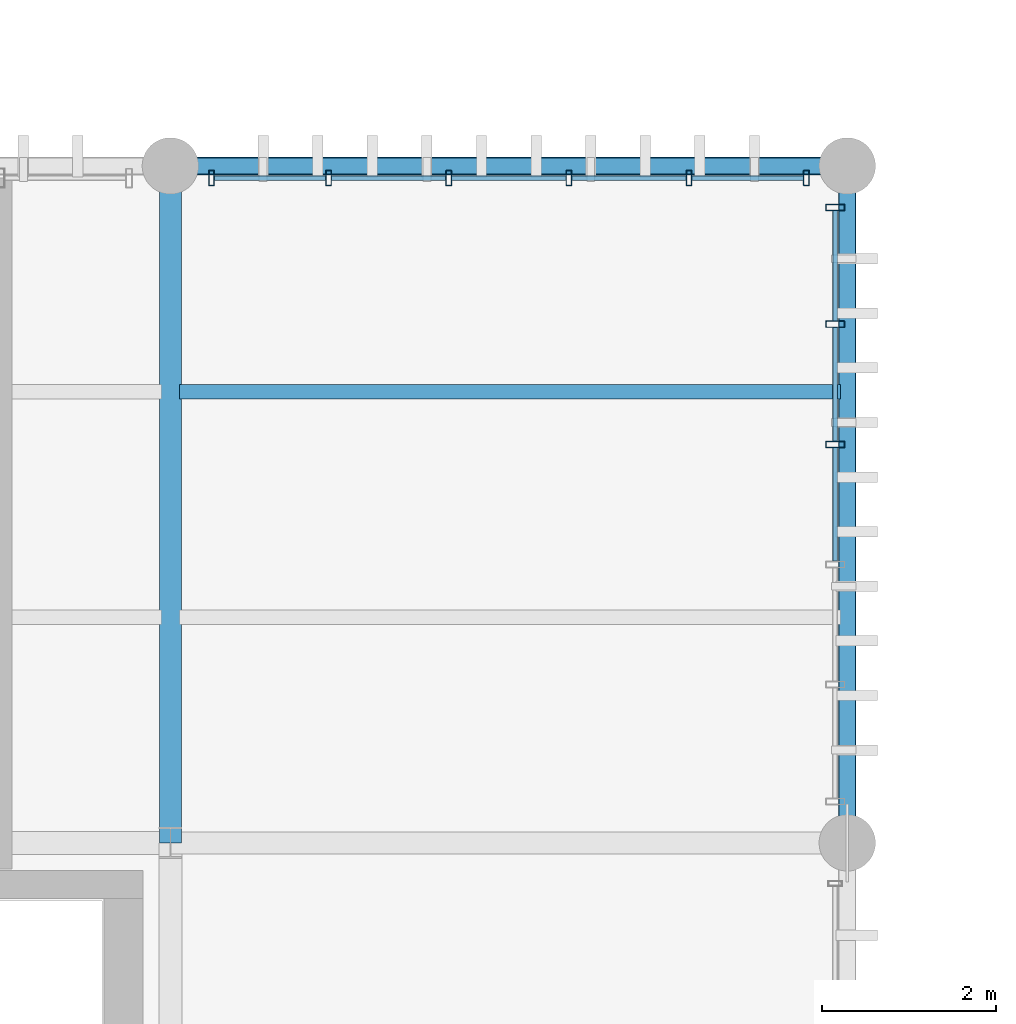
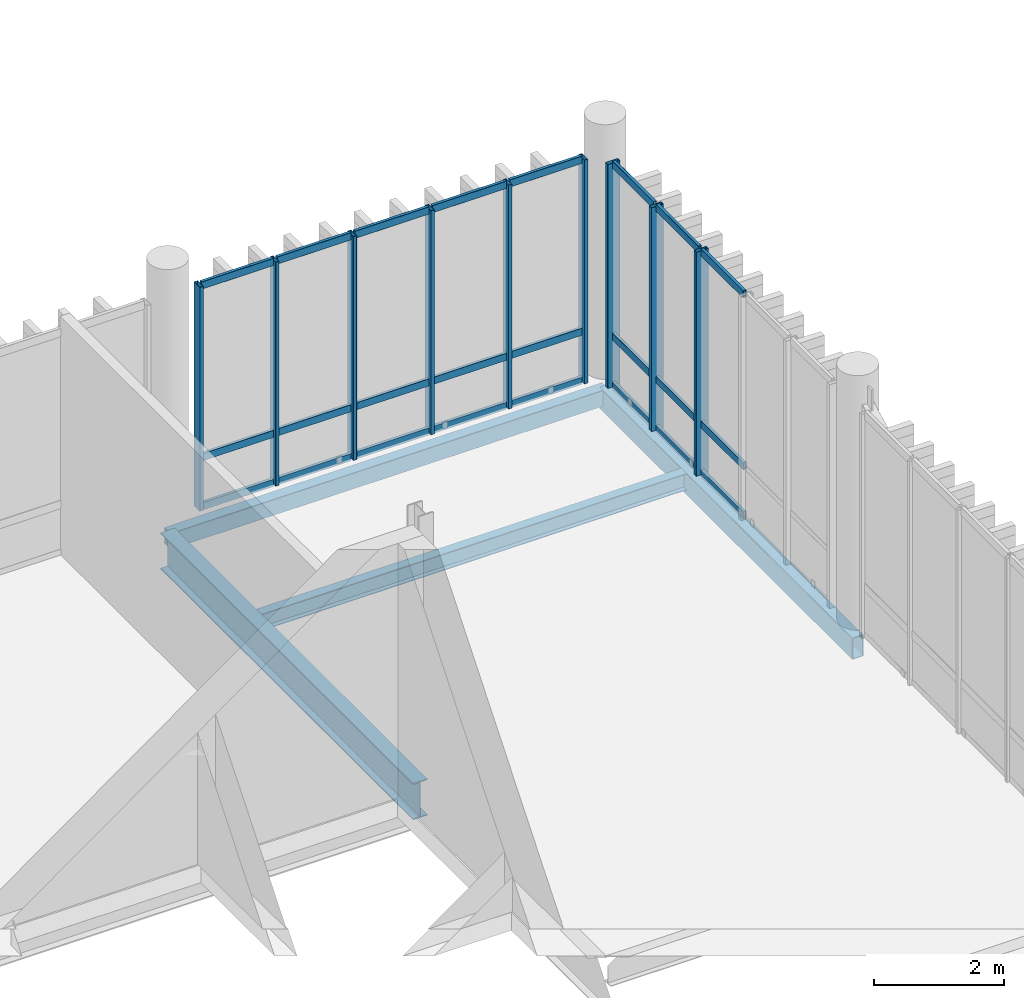
# One storey, part 25 of 86: 33 members, 4 beams, 2 elements without a shape of their own.
"""IFC4 building model written with IfcOpenShell, lengths in metres."""

from ifc_helpers import new_model, si_unit, direction, frame, origin_with_axes, origin_2d_with_axis, place, context, subcontext, project, spatial, hollow_rectangle, i_section, extrude, material, material_profile, profile_set, type_object, element, aggregate, save


model = new_model("IFC4")

# Units and contexts
model_context = context("Model", 3, precision=1e-05, world=origin_with_axes(), true_north=direction((0.0, 1.0)))
body_context = subcontext(model_context, "Body", "Model", "MODEL_VIEW")
ifc_project = project(units=[si_unit("LENGTHUNIT", "METRE"), si_unit("AREAUNIT", "SQUARE_METRE"), si_unit("VOLUMEUNIT", "CUBIC_METRE"), si_unit("PLANEANGLEUNIT", "RADIAN"), si_unit("MASSUNIT", "GRAM", prefix="KILO"), si_unit("THERMODYNAMICTEMPERATUREUNIT", "KELVIN")], contexts=[model_context])

# Site, building, storey
site_placement = place(None, origin_with_axes())
site = spatial("IfcSite", under=ifc_project, at=site_placement, CompositionType="ELEMENT")
building_placement = place(site_placement, origin_with_axes())
building = spatial("IfcBuilding", under=site, at=building_placement, Name="Montbau Bow Law Courts", CompositionType="ELEMENT")
storey_placement = place(building_placement, frame((0.0, 0.0, 29.7), z_axis=(0.0, 0.0, 1.0), x_axis=(1.0, 0.0, 0.0)))
storey = spatial("IfcBuildingStorey", under=building, at=storey_placement, Name="L06", CompositionType="ELEMENT", Elevation=29.7)

# Beams
ifc_material_1 = material(Name="Steel CSA G40.21 Grade 350W (350 MPa)", Category="steel")
ifc_material_profile_1 = material_profile(ifc_material_1, i_section(OverallWidth=0.254, OverallDepth=0.688, WebThickness=0.0131, FlangeThickness=0.0211, at=origin_2d_with_axis()), Name="W690X152", Category="Main", Priority=0)
ifc_profile_set_1 = profile_set([ifc_material_profile_1], Name="Steel CSA G40.21 Grade 350W (350 MPa)")
beam_type_1 = type_object("IfcBeamType", Name="B-FLR-04", PredefinedType="BEAM", material=ifc_profile_set_1)
beam_1_placement = place(None, frame((39.0, 54.6, 29.016), z_axis=(0.0, 1.0, 0.0), x_axis=(-1.0, 0.0, 0.0)))
element("IfcBeam", 1, at=beam_1_placement, inside=storey, type_object=beam_type_1, Name="BM-L06-S0708:bm2_0711", PredefinedType="BEAM", context=body_context, shape_type="SweptSolid", body=[
    extrude(i_section(OverallWidth=0.254, OverallDepth=0.688, WebThickness=0.0131, FlangeThickness=0.0211, at=origin_2d_with_axis()), origin_with_axes(), (0.0, 0.0, 1.0), 7.8),
])
ifc_material_profile_2 = material_profile(ifc_material_1, i_section(OverallWidth=0.166, OverallDepth=0.313, WebThickness=0.0066, FlangeThickness=0.0112, at=origin_2d_with_axis()), Name="W310X45", Category="Main", Priority=0)
ifc_profile_set_2 = profile_set([ifc_material_profile_2], Name="Steel CSA G40.21 Grade 350W (350 MPa)")
beam_type_2 = type_object("IfcBeamType", Name="B-JST-04", PredefinedType="JOIST", material=ifc_profile_set_2)
beam_2_placement = place(None, frame((39.103, 59.8, 29.203), z_axis=(1.0, 0.0, 0.0), x_axis=(0.0, 1.0, 0.0)))
element("IfcBeam", 2, at=beam_2_placement, inside=storey, type_object=beam_type_2, Name="JST-L06-S0359:jst2_0359", PredefinedType="JOIST", context=body_context, shape_type="SweptSolid", body=[
    extrude(i_section(OverallWidth=0.166, OverallDepth=0.313, WebThickness=0.0066, FlangeThickness=0.0112, at=origin_2d_with_axis()), origin_with_axes(), (0.0, 0.0, 1.0), 7.617),
])
ifc_material_2 = material(Name="Steel CSA G40.21 Grade 350WT (350 MPa)", Category="steel")
ifc_material_profile_3 = material_profile(ifc_material_2, hollow_rectangle(XDim=0.203, YDim=0.406, WallThickness=0.0127, InnerFilletRadius=0.0254, OuterFilletRadius=0.0127, at=origin_2d_with_axis()), Name="HSS406X203X13", Category="Main", Priority=0)
ifc_profile_set_3 = profile_set([ifc_material_profile_3], Name="Steel CSA G40.21 Grade 350WT (350 MPa)")
beam_type_3 = type_object("IfcBeamType", Name="B-SPN-01", PredefinedType="SPANDREL", material=ifc_profile_set_3)
beam_3_placement = place(None, frame((46.8, 54.6, 29.157), z_axis=(0.0, 1.0, 0.0), x_axis=(-1.0, 0.0, 0.0)))
element("IfcBeam", 3, at=beam_3_placement, inside=storey, type_object=beam_type_3, Name="SPN-L06-S0712:bm2_0715", PredefinedType="SPANDREL", context=body_context, shape_type="SweptSolid", body=[
    extrude(hollow_rectangle(XDim=0.203, YDim=0.406, WallThickness=0.0127, InnerFilletRadius=0.0254, OuterFilletRadius=0.0127, at=origin_2d_with_axis()), origin_with_axes(), (0.0, 0.0, 1.0), 7.8),
])
ifc_material_profile_4 = material_profile(ifc_material_2, hollow_rectangle(XDim=0.203, YDim=0.305, WallThickness=0.0127, InnerFilletRadius=0.0254, OuterFilletRadius=0.0127, at=origin_2d_with_axis()), Name="HSS305X203X13", Category="Main", Priority=0)
ifc_profile_set_4 = profile_set([ifc_material_profile_4], Name="Steel CSA G40.21 Grade 350WT (350 MPa)")
beam_type_4 = type_object("IfcBeamType", Name="B-SPN-02", PredefinedType="SPANDREL", material=ifc_profile_set_4)
beam_4_placement = place(None, frame((39.0, 62.4, 29.207), z_axis=(1.0, 0.0, 0.0), x_axis=(0.0, 1.0, 0.0)))
element("IfcBeam", 4, at=beam_4_placement, inside=storey, type_object=beam_type_4, Name="SPN-L06-S0690:bm2_0693", PredefinedType="SPANDREL", context=body_context, shape_type="SweptSolid", body=[
    extrude(hollow_rectangle(XDim=0.203, YDim=0.305, WallThickness=0.0127, InnerFilletRadius=0.0254, OuterFilletRadius=0.0127, at=origin_2d_with_axis()), origin_with_axes(), (0.0, 0.0, 1.0), 7.8),
])

# Curtain wall, members
ifc_material_3 = material(Name="Thermally Broken Extruded Aluminium AA 6063-T6", Category="aluminium")
curtain_wall_type = type_object("IfcCurtainWallType", Name="CW-TRC-02", PredefinedType="NOTDEFINED", material=ifc_material_3)
curtain_wall_1_placement = place(None, frame((46.66, 55.04, 29.7), z_axis=(0.0, 0.0, 1.0), x_axis=(1.0, 0.0, 0.0)))
curtain_wall_1 = element("IfcCurtainWall", 5, at=curtain_wall_1_placement, inside=storey, type_object=curtain_wall_type, Name="CW-L06-111:cw_0111", PredefinedType="NOTDEFINED")
ifc_material_profile_5 = material_profile(ifc_material_3, hollow_rectangle(XDim=0.075, YDim=0.22, WallThickness=0.005, InnerFilletRadius=0.01, OuterFilletRadius=0.005, at=origin_2d_with_axis()), Name="CWM-220X75", Category="Main", Priority=0)
ifc_profile_set_5 = profile_set([ifc_material_profile_5], Name="Thermally Broken Extruded Aluminium AA 6063-T6")
member_type_1 = type_object("IfcMemberType", Name="M-MUL-01", PredefinedType="MULLION", material=ifc_profile_set_5)
member_1_placement = place(None, frame((46.66, 59.192, 29.7), z_axis=(0.0, 0.0, 1.0), x_axis=(0.0, 1.0, 0.0)))
member_1 = element("IfcMember", 6, at=member_1_placement, type_object=member_type_1, Name="CW-L06-111-M04:cw_0111_M04", PredefinedType="MULLION", context=body_context, shape_type="SweptSolid", body=[
    extrude(hollow_rectangle(XDim=0.075, YDim=0.22, WallThickness=0.005, InnerFilletRadius=0.01, OuterFilletRadius=0.005, at=origin_2d_with_axis()), origin_with_axes(), (0.0, 0.0, 1.0), 4.22),
])
member_2_placement = place(None, frame((46.66, 60.576, 29.7), z_axis=(0.0, 0.0, 1.0), x_axis=(0.0, 1.0, 0.0)))
member_2 = element("IfcMember", 7, at=member_2_placement, type_object=member_type_1, Name="CW-L06-111-M05:cw_0111_M05", PredefinedType="MULLION", context=body_context, shape_type="SweptSolid", body=[
    extrude(hollow_rectangle(XDim=0.075, YDim=0.22, WallThickness=0.005, InnerFilletRadius=0.01, OuterFilletRadius=0.005, at=origin_2d_with_axis()), origin_with_axes(), (0.0, 0.0, 1.0), 4.22),
])
member_3_placement = place(None, frame((46.66, 61.923, 29.7), z_axis=(0.0, 0.0, 1.0), x_axis=(0.0, 1.0, 0.0)))
member_3 = element("IfcMember", 8, at=member_3_placement, type_object=member_type_1, Name="CW-L06-111-M06:cw_0111_M06", PredefinedType="MULLION", context=body_context, shape_type="SweptSolid", body=[
    extrude(hollow_rectangle(XDim=0.075, YDim=0.22, WallThickness=0.005, InnerFilletRadius=0.01, OuterFilletRadius=0.005, at=origin_2d_with_axis()), origin_with_axes(), (0.0, 0.0, 1.0), 4.22),
])

curtain_wall_2_placement = place(None, frame((39.44, 62.26, 29.7), z_axis=(0.0, 0.0, 1.0), x_axis=(1.0, 0.0, 0.0)))
curtain_wall_2 = element("IfcCurtainWall", 9, at=curtain_wall_2_placement, inside=storey, type_object=curtain_wall_type, Name="CW-L06-103:cw_0103", PredefinedType="NOTDEFINED")
ifc_material_profile_6 = material_profile(ifc_material_3, hollow_rectangle(XDim=0.065, YDim=0.18, WallThickness=0.005, InnerFilletRadius=0.01, OuterFilletRadius=0.005, at=origin_2d_with_axis()), Name="CWM-180X65", Category="Main", Priority=0)
ifc_profile_set_6 = profile_set([ifc_material_profile_6], Name="Thermally Broken Extruded Aluminium AA 6063-T6")
member_type_2 = type_object("IfcMemberType", Name="M-MUL-02", PredefinedType="MULLION", material=ifc_profile_set_6)
member_4_placement = place(None, frame((39.473, 62.26, 29.7), z_axis=(0.0, 0.0, 1.0), x_axis=(1.0, 0.0, 0.0)))
member_4 = element("IfcMember", 10, at=member_4_placement, type_object=member_type_2, Name="CW-L06-103-M01:cw_0103_M01", PredefinedType="MULLION", context=body_context, shape_type="SweptSolid", body=[
    extrude(hollow_rectangle(XDim=0.065, YDim=0.18, WallThickness=0.005, InnerFilletRadius=0.01, OuterFilletRadius=0.005, at=origin_2d_with_axis()), origin_with_axes(), (0.0, 0.0, 1.0), 4.22),
])
member_5_placement = place(None, frame((40.824, 62.26, 29.7), z_axis=(0.0, 0.0, 1.0), x_axis=(1.0, 0.0, 0.0)))
member_5 = element("IfcMember", 11, at=member_5_placement, type_object=member_type_2, Name="CW-L06-103-M02:cw_0103_M02", PredefinedType="MULLION", context=body_context, shape_type="SweptSolid", body=[
    extrude(hollow_rectangle(XDim=0.065, YDim=0.18, WallThickness=0.005, InnerFilletRadius=0.01, OuterFilletRadius=0.005, at=origin_2d_with_axis()), origin_with_axes(), (0.0, 0.0, 1.0), 4.22),
])
member_6_placement = place(None, frame((42.208, 62.26, 29.7), z_axis=(0.0, 0.0, 1.0), x_axis=(1.0, 0.0, 0.0)))
member_6 = element("IfcMember", 12, at=member_6_placement, type_object=member_type_2, Name="CW-L06-103-M03:cw_0103_M03", PredefinedType="MULLION", context=body_context, shape_type="SweptSolid", body=[
    extrude(hollow_rectangle(XDim=0.065, YDim=0.18, WallThickness=0.005, InnerFilletRadius=0.01, OuterFilletRadius=0.005, at=origin_2d_with_axis()), origin_with_axes(), (0.0, 0.0, 1.0), 4.22),
])
member_7_placement = place(None, frame((43.592, 62.26, 29.7), z_axis=(0.0, 0.0, 1.0), x_axis=(1.0, 0.0, 0.0)))
member_7 = element("IfcMember", 13, at=member_7_placement, type_object=member_type_2, Name="CW-L06-103-M04:cw_0103_M04", PredefinedType="MULLION", context=body_context, shape_type="SweptSolid", body=[
    extrude(hollow_rectangle(XDim=0.065, YDim=0.18, WallThickness=0.005, InnerFilletRadius=0.01, OuterFilletRadius=0.005, at=origin_2d_with_axis()), origin_with_axes(), (0.0, 0.0, 1.0), 4.22),
])
member_8_placement = place(None, frame((44.976, 62.26, 29.7), z_axis=(0.0, 0.0, 1.0), x_axis=(1.0, 0.0, 0.0)))
member_8 = element("IfcMember", 14, at=member_8_placement, type_object=member_type_2, Name="CW-L06-103-M05:cw_0103_M05", PredefinedType="MULLION", context=body_context, shape_type="SweptSolid", body=[
    extrude(hollow_rectangle(XDim=0.065, YDim=0.18, WallThickness=0.005, InnerFilletRadius=0.01, OuterFilletRadius=0.005, at=origin_2d_with_axis()), origin_with_axes(), (0.0, 0.0, 1.0), 4.22),
])
member_9_placement = place(None, frame((46.328, 62.26, 29.7), z_axis=(0.0, 0.0, 1.0), x_axis=(1.0, 0.0, 0.0)))
member_9 = element("IfcMember", 15, at=member_9_placement, type_object=member_type_2, Name="CW-L06-103-M06:cw_0103_M06", PredefinedType="MULLION", context=body_context, shape_type="SweptSolid", body=[
    extrude(hollow_rectangle(XDim=0.065, YDim=0.18, WallThickness=0.005, InnerFilletRadius=0.01, OuterFilletRadius=0.005, at=origin_2d_with_axis()), origin_with_axes(), (0.0, 0.0, 1.0), 4.22),
])
ifc_material_profile_7 = material_profile(ifc_material_3, hollow_rectangle(XDim=0.055, YDim=0.14, WallThickness=0.004, InnerFilletRadius=0.008, OuterFilletRadius=0.004, at=origin_2d_with_axis()), Name="CWT-140X55", Category="Main", Priority=0)
ifc_profile_set_7 = profile_set([ifc_material_profile_7], Name="Thermally Broken Extruded Aluminium AA 6063-T6")
member_type_3 = type_object("IfcMemberType", Name="M-TRN-02", PredefinedType="USERDEFINED", material=ifc_profile_set_7)
member_10_placement = place(None, frame((39.508, 62.26, 29.727), z_axis=(1.0, 0.0, 0.0), x_axis=(0.0, 1.0, 0.0)))
member_10 = element("IfcMember", 16, at=member_10_placement, type_object=member_type_3, Name="CW-L06-103-T01-1:cw_0103_T01_1", ObjectType="TRANSOM", PredefinedType="USERDEFINED", context=body_context, shape_type="SweptSolid", body=[
    extrude(hollow_rectangle(XDim=0.055, YDim=0.14, WallThickness=0.004, InnerFilletRadius=0.008, OuterFilletRadius=0.004, at=origin_2d_with_axis()), origin_with_axes(), (0.0, 0.0, 1.0), 1.281),
])
member_11_placement = place(None, frame((39.508, 62.26, 30.65), z_axis=(1.0, 0.0, 0.0), x_axis=(0.0, 1.0, 0.0)))
member_11 = element("IfcMember", 17, at=member_11_placement, type_object=member_type_3, Name="CW-L06-103-T01-2:cw_0103_T01_2", ObjectType="TRANSOM", PredefinedType="USERDEFINED", context=body_context, shape_type="SweptSolid", body=[
    extrude(hollow_rectangle(XDim=0.055, YDim=0.14, WallThickness=0.004, InnerFilletRadius=0.008, OuterFilletRadius=0.004, at=origin_2d_with_axis()), origin_with_axes(), (0.0, 0.0, 1.0), 1.281),
])
member_12_placement = place(None, frame((39.508, 62.26, 33.892), z_axis=(1.0, 0.0, 0.0), x_axis=(0.0, 1.0, 0.0)))
member_12 = element("IfcMember", 18, at=member_12_placement, type_object=member_type_3, Name="CW-L06-103-T01-3:cw_0103_T01_3", ObjectType="TRANSOM", PredefinedType="USERDEFINED", context=body_context, shape_type="SweptSolid", body=[
    extrude(hollow_rectangle(XDim=0.055, YDim=0.14, WallThickness=0.004, InnerFilletRadius=0.008, OuterFilletRadius=0.004, at=origin_2d_with_axis()), origin_with_axes(), (0.0, 0.0, 1.0), 1.281),
])
member_13_placement = place(None, frame((40.858, 62.26, 29.727), z_axis=(1.0, 0.0, 0.0), x_axis=(0.0, 1.0, 0.0)))
member_13 = element("IfcMember", 19, at=member_13_placement, type_object=member_type_3, Name="CW-L06-103-T02-1:cw_0103_T02_1", ObjectType="TRANSOM", PredefinedType="USERDEFINED", context=body_context, shape_type="SweptSolid", body=[
    extrude(hollow_rectangle(XDim=0.055, YDim=0.14, WallThickness=0.004, InnerFilletRadius=0.008, OuterFilletRadius=0.004, at=origin_2d_with_axis()), origin_with_axes(), (0.0, 0.0, 1.0), 1.315),
])
member_14_placement = place(None, frame((40.858, 62.26, 30.65), z_axis=(1.0, 0.0, 0.0), x_axis=(0.0, 1.0, 0.0)))
member_14 = element("IfcMember", 20, at=member_14_placement, type_object=member_type_3, Name="CW-L06-103-T02-2:cw_0103_T02_2", ObjectType="TRANSOM", PredefinedType="USERDEFINED", context=body_context, shape_type="SweptSolid", body=[
    extrude(hollow_rectangle(XDim=0.055, YDim=0.14, WallThickness=0.004, InnerFilletRadius=0.008, OuterFilletRadius=0.004, at=origin_2d_with_axis()), origin_with_axes(), (0.0, 0.0, 1.0), 1.315),
])
member_15_placement = place(None, frame((40.858, 62.26, 33.892), z_axis=(1.0, 0.0, 0.0), x_axis=(0.0, 1.0, 0.0)))
member_15 = element("IfcMember", 21, at=member_15_placement, type_object=member_type_3, Name="CW-L06-103-T02-3:cw_0103_T02_3", ObjectType="TRANSOM", PredefinedType="USERDEFINED", context=body_context, shape_type="SweptSolid", body=[
    extrude(hollow_rectangle(XDim=0.055, YDim=0.14, WallThickness=0.004, InnerFilletRadius=0.008, OuterFilletRadius=0.004, at=origin_2d_with_axis()), origin_with_axes(), (0.0, 0.0, 1.0), 1.315),
])
member_16_placement = place(None, frame((42.242, 62.26, 29.727), z_axis=(1.0, 0.0, 0.0), x_axis=(0.0, 1.0, 0.0)))
member_16 = element("IfcMember", 22, at=member_16_placement, type_object=member_type_3, Name="CW-L06-103-T03-1:cw_0103_T03_1", ObjectType="TRANSOM", PredefinedType="USERDEFINED", context=body_context, shape_type="SweptSolid", body=[
    extrude(hollow_rectangle(XDim=0.055, YDim=0.14, WallThickness=0.004, InnerFilletRadius=0.008, OuterFilletRadius=0.004, at=origin_2d_with_axis()), origin_with_axes(), (0.0, 0.0, 1.0), 1.316),
])
member_17_placement = place(None, frame((42.242, 62.26, 30.65), z_axis=(1.0, 0.0, 0.0), x_axis=(0.0, 1.0, 0.0)))
member_17 = element("IfcMember", 23, at=member_17_placement, type_object=member_type_3, Name="CW-L06-103-T03-2:cw_0103_T03_2", ObjectType="TRANSOM", PredefinedType="USERDEFINED", context=body_context, shape_type="SweptSolid", body=[
    extrude(hollow_rectangle(XDim=0.055, YDim=0.14, WallThickness=0.004, InnerFilletRadius=0.008, OuterFilletRadius=0.004, at=origin_2d_with_axis()), origin_with_axes(), (0.0, 0.0, 1.0), 1.316),
])
member_18_placement = place(None, frame((42.242, 62.26, 33.892), z_axis=(1.0, 0.0, 0.0), x_axis=(0.0, 1.0, 0.0)))
member_18 = element("IfcMember", 24, at=member_18_placement, type_object=member_type_3, Name="CW-L06-103-T03-3:cw_0103_T03_3", ObjectType="TRANSOM", PredefinedType="USERDEFINED", context=body_context, shape_type="SweptSolid", body=[
    extrude(hollow_rectangle(XDim=0.055, YDim=0.14, WallThickness=0.004, InnerFilletRadius=0.008, OuterFilletRadius=0.004, at=origin_2d_with_axis()), origin_with_axes(), (0.0, 0.0, 1.0), 1.316),
])
member_19_placement = place(None, frame((43.626, 62.26, 29.727), z_axis=(1.0, 0.0, 0.0), x_axis=(0.0, 1.0, 0.0)))
member_19 = element("IfcMember", 25, at=member_19_placement, type_object=member_type_3, Name="CW-L06-103-T04-1:cw_0103_T04_1", ObjectType="TRANSOM", PredefinedType="USERDEFINED", context=body_context, shape_type="SweptSolid", body=[
    extrude(hollow_rectangle(XDim=0.055, YDim=0.14, WallThickness=0.004, InnerFilletRadius=0.008, OuterFilletRadius=0.004, at=origin_2d_with_axis()), origin_with_axes(), (0.0, 0.0, 1.0), 1.316),
])
member_20_placement = place(None, frame((43.626, 62.26, 30.65), z_axis=(1.0, 0.0, 0.0), x_axis=(0.0, 1.0, 0.0)))
member_20 = element("IfcMember", 26, at=member_20_placement, type_object=member_type_3, Name="CW-L06-103-T04-2:cw_0103_T04_2", ObjectType="TRANSOM", PredefinedType="USERDEFINED", context=body_context, shape_type="SweptSolid", body=[
    extrude(hollow_rectangle(XDim=0.055, YDim=0.14, WallThickness=0.004, InnerFilletRadius=0.008, OuterFilletRadius=0.004, at=origin_2d_with_axis()), origin_with_axes(), (0.0, 0.0, 1.0), 1.316),
])
member_21_placement = place(None, frame((43.626, 62.26, 33.892), z_axis=(1.0, 0.0, 0.0), x_axis=(0.0, 1.0, 0.0)))
member_21 = element("IfcMember", 27, at=member_21_placement, type_object=member_type_3, Name="CW-L06-103-T04-3:cw_0103_T04_3", ObjectType="TRANSOM", PredefinedType="USERDEFINED", context=body_context, shape_type="SweptSolid", body=[
    extrude(hollow_rectangle(XDim=0.055, YDim=0.14, WallThickness=0.004, InnerFilletRadius=0.008, OuterFilletRadius=0.004, at=origin_2d_with_axis()), origin_with_axes(), (0.0, 0.0, 1.0), 1.316),
])
member_22_placement = place(None, frame((45.01, 62.26, 29.727), z_axis=(1.0, 0.0, 0.0), x_axis=(0.0, 1.0, 0.0)))
member_22 = element("IfcMember", 28, at=member_22_placement, type_object=member_type_3, Name="CW-L06-103-T05-1:cw_0103_T05_1", ObjectType="TRANSOM", PredefinedType="USERDEFINED", context=body_context, shape_type="SweptSolid", body=[
    extrude(hollow_rectangle(XDim=0.055, YDim=0.14, WallThickness=0.004, InnerFilletRadius=0.008, OuterFilletRadius=0.004, at=origin_2d_with_axis()), origin_with_axes(), (0.0, 0.0, 1.0), 1.284),
])
member_23_placement = place(None, frame((45.01, 62.26, 30.65), z_axis=(1.0, 0.0, 0.0), x_axis=(0.0, 1.0, 0.0)))
member_23 = element("IfcMember", 29, at=member_23_placement, type_object=member_type_3, Name="CW-L06-103-T05-2:cw_0103_T05_2", ObjectType="TRANSOM", PredefinedType="USERDEFINED", context=body_context, shape_type="SweptSolid", body=[
    extrude(hollow_rectangle(XDim=0.055, YDim=0.14, WallThickness=0.004, InnerFilletRadius=0.008, OuterFilletRadius=0.004, at=origin_2d_with_axis()), origin_with_axes(), (0.0, 0.0, 1.0), 1.284),
])
member_24_placement = place(None, frame((45.01, 62.26, 33.892), z_axis=(1.0, 0.0, 0.0), x_axis=(0.0, 1.0, 0.0)))
member_24 = element("IfcMember", 30, at=member_24_placement, type_object=member_type_3, Name="CW-L06-103-T05-3:cw_0103_T05_3", ObjectType="TRANSOM", PredefinedType="USERDEFINED", context=body_context, shape_type="SweptSolid", body=[
    extrude(hollow_rectangle(XDim=0.055, YDim=0.14, WallThickness=0.004, InnerFilletRadius=0.008, OuterFilletRadius=0.004, at=origin_2d_with_axis()), origin_with_axes(), (0.0, 0.0, 1.0), 1.284),
])
aggregate(curtain_wall_2, [member_4, member_5, member_6, member_7, member_8, member_9, member_10, member_11, member_12, member_13, member_14, member_15, member_16, member_17, member_18, member_19, member_20, member_21, member_22, member_23, member_24])

# Member
member_25_placement = place(None, frame((46.66, 57.847, 29.727), z_axis=(0.0, 1.0, 0.0), x_axis=(-1.0, 0.0, 0.0)))
member_25 = element("IfcMember", 31, at=member_25_placement, type_object=member_type_3, Name="CW-L06-111-T03-1:cw_0111_T03_1", ObjectType="TRANSOM", PredefinedType="USERDEFINED", context=body_context, shape_type="SweptSolid", body=[
    extrude(hollow_rectangle(XDim=0.055, YDim=0.14, WallThickness=0.004, InnerFilletRadius=0.008, OuterFilletRadius=0.004, at=origin_2d_with_axis()), origin_with_axes(), (0.0, 0.0, 1.0), 1.306),
])

member_26_placement = place(None, frame((46.66, 57.847, 30.65), z_axis=(0.0, 1.0, 0.0), x_axis=(-1.0, 0.0, 0.0)))
member_26 = element("IfcMember", 32, at=member_26_placement, type_object=member_type_3, Name="CW-L06-111-T03-2:cw_0111_T03_2", ObjectType="TRANSOM", PredefinedType="USERDEFINED", context=body_context, shape_type="SweptSolid", body=[
    extrude(hollow_rectangle(XDim=0.055, YDim=0.14, WallThickness=0.004, InnerFilletRadius=0.008, OuterFilletRadius=0.004, at=origin_2d_with_axis()), origin_with_axes(), (0.0, 0.0, 1.0), 1.306),
])

member_27_placement = place(None, frame((46.66, 57.847, 33.892), z_axis=(0.0, 1.0, 0.0), x_axis=(-1.0, 0.0, 0.0)))
member_27 = element("IfcMember", 33, at=member_27_placement, type_object=member_type_3, Name="CW-L06-111-T03-3:cw_0111_T03_3", ObjectType="TRANSOM", PredefinedType="USERDEFINED", context=body_context, shape_type="SweptSolid", body=[
    extrude(hollow_rectangle(XDim=0.055, YDim=0.14, WallThickness=0.004, InnerFilletRadius=0.008, OuterFilletRadius=0.004, at=origin_2d_with_axis()), origin_with_axes(), (0.0, 0.0, 1.0), 1.306),
])

member_28_placement = place(None, frame((46.66, 59.231, 29.727), z_axis=(0.0, 1.0, 0.0), x_axis=(-1.0, 0.0, 0.0)))
member_28 = element("IfcMember", 34, at=member_28_placement, type_object=member_type_3, Name="CW-L06-111-T04-1:cw_0111_T04_1", ObjectType="TRANSOM", PredefinedType="USERDEFINED", context=body_context, shape_type="SweptSolid", body=[
    extrude(hollow_rectangle(XDim=0.055, YDim=0.14, WallThickness=0.004, InnerFilletRadius=0.008, OuterFilletRadius=0.004, at=origin_2d_with_axis()), origin_with_axes(), (0.0, 0.0, 1.0), 1.306),
])

member_29_placement = place(None, frame((46.66, 59.231, 30.65), z_axis=(0.0, 1.0, 0.0), x_axis=(-1.0, 0.0, 0.0)))
member_29 = element("IfcMember", 35, at=member_29_placement, type_object=member_type_3, Name="CW-L06-111-T04-2:cw_0111_T04_2", ObjectType="TRANSOM", PredefinedType="USERDEFINED", context=body_context, shape_type="SweptSolid", body=[
    extrude(hollow_rectangle(XDim=0.055, YDim=0.14, WallThickness=0.004, InnerFilletRadius=0.008, OuterFilletRadius=0.004, at=origin_2d_with_axis()), origin_with_axes(), (0.0, 0.0, 1.0), 1.306),
])

member_30_placement = place(None, frame((46.66, 59.231, 33.892), z_axis=(0.0, 1.0, 0.0), x_axis=(-1.0, 0.0, 0.0)))
member_30 = element("IfcMember", 36, at=member_30_placement, type_object=member_type_3, Name="CW-L06-111-T04-3:cw_0111_T04_3", ObjectType="TRANSOM", PredefinedType="USERDEFINED", context=body_context, shape_type="SweptSolid", body=[
    extrude(hollow_rectangle(XDim=0.055, YDim=0.14, WallThickness=0.004, InnerFilletRadius=0.008, OuterFilletRadius=0.004, at=origin_2d_with_axis()), origin_with_axes(), (0.0, 0.0, 1.0), 1.306),
])

member_31_placement = place(None, frame((46.66, 60.615, 29.727), z_axis=(0.0, 1.0, 0.0), x_axis=(-1.0, 0.0, 0.0)))
member_31 = element("IfcMember", 37, at=member_31_placement, type_object=member_type_3, Name="CW-L06-111-T05-1:cw_0111_T05_1", ObjectType="TRANSOM", PredefinedType="USERDEFINED", context=body_context, shape_type="SweptSolid", body=[
    extrude(hollow_rectangle(XDim=0.055, YDim=0.14, WallThickness=0.004, InnerFilletRadius=0.008, OuterFilletRadius=0.004, at=origin_2d_with_axis()), origin_with_axes(), (0.0, 0.0, 1.0), 1.269),
])

member_32_placement = place(None, frame((46.66, 60.615, 30.65), z_axis=(0.0, 1.0, 0.0), x_axis=(-1.0, 0.0, 0.0)))
member_32 = element("IfcMember", 38, at=member_32_placement, type_object=member_type_3, Name="CW-L06-111-T05-2:cw_0111_T05_2", ObjectType="TRANSOM", PredefinedType="USERDEFINED", context=body_context, shape_type="SweptSolid", body=[
    extrude(hollow_rectangle(XDim=0.055, YDim=0.14, WallThickness=0.004, InnerFilletRadius=0.008, OuterFilletRadius=0.004, at=origin_2d_with_axis()), origin_with_axes(), (0.0, 0.0, 1.0), 1.269),
])

member_33_placement = place(None, frame((46.66, 60.615, 33.892), z_axis=(0.0, 1.0, 0.0), x_axis=(-1.0, 0.0, 0.0)))
member_33 = element("IfcMember", 39, at=member_33_placement, type_object=member_type_3, Name="CW-L06-111-T05-3:cw_0111_T05_3", ObjectType="TRANSOM", PredefinedType="USERDEFINED", context=body_context, shape_type="SweptSolid", body=[
    extrude(hollow_rectangle(XDim=0.055, YDim=0.14, WallThickness=0.004, InnerFilletRadius=0.008, OuterFilletRadius=0.004, at=origin_2d_with_axis()), origin_with_axes(), (0.0, 0.0, 1.0), 1.269),
])

aggregate(curtain_wall_1, [member_1, member_2, member_3, member_25, member_26, member_27, member_28, member_29, member_30, member_31, member_32, member_33])

save(model, "model.ifc")
